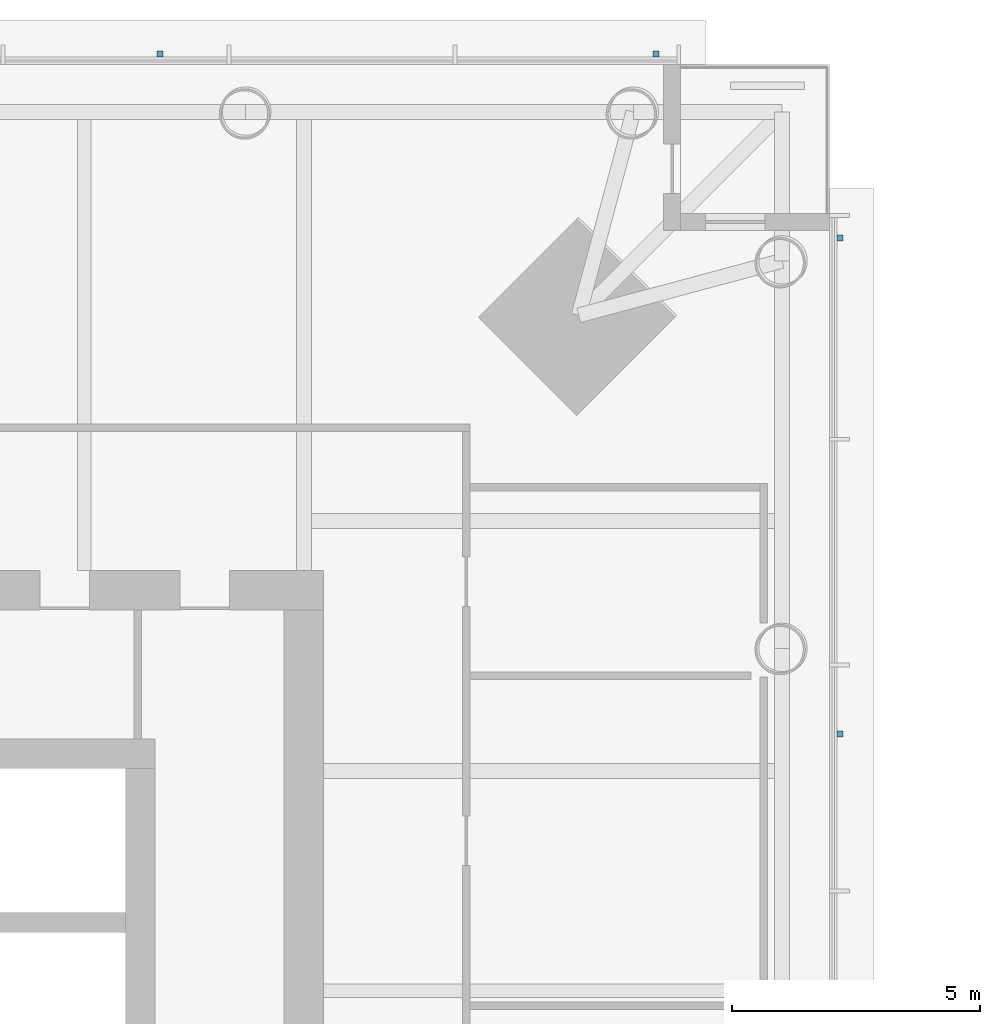
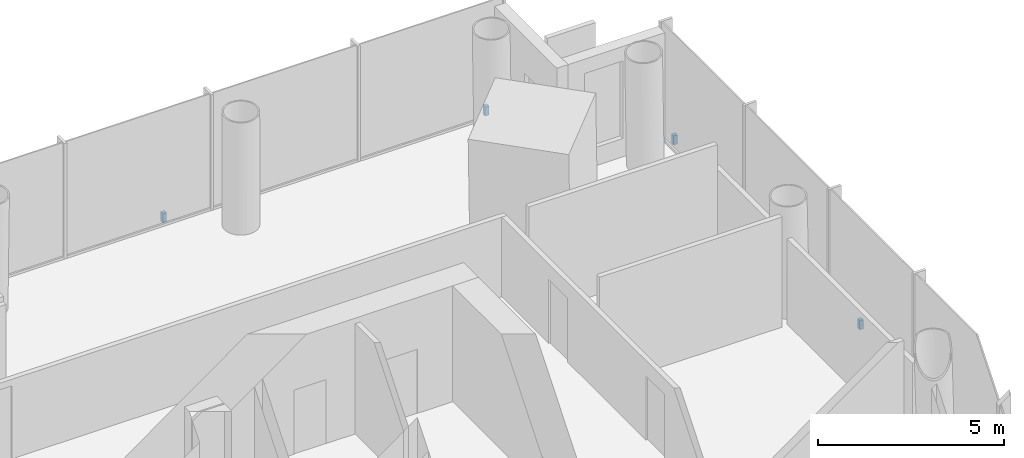
# One storey, part 21 of 26: 4 discrete accessories.
"""IFC4 building model written with IfcOpenShell, lengths in metres."""

import ifcopenshell
import ifcopenshell.guid

model = None  # the IFC model being written
_history = None  # IfcOwnerHistory: only IFC2X3 demands one
_inside = {}  # id of a spatial element -> (the spatial element, [elements in it])
_under = {}  # id of a project, library or spatial element -> (it, [spatial elements below it])
_declared = {}  # id of a project -> (the project, [libraries it declares])
_typed = {}  # id of a type object -> (the type object, [elements of that type])
_made_of = {}  # id of a material, layer set ... -> (it, [elements and type objects made of it])


def new_model(schema):
    """Start an empty IFC model of exactly this schema.

    Asked for "IFC4X3", IfcOpenShell would pick the latest addendum, in which some entities
    have other attributes; the version numbers below select the first issue.
    IFC2X3 requires an IfcOwnerHistory on every rooted entity: one is made here for all.
    """
    global model, _history
    if schema == "IFC4X3":
        model = ifcopenshell.file(schema_version=(4, 3, 0, 0))
    else:
        model = ifcopenshell.file(schema=schema)
    _inside.clear()
    _under.clear()
    _declared.clear()
    _typed.clear()
    _made_of.clear()
    _history = None
    if model.schema == "IFC2X3":
        org = make("IfcOrganization", Name="unknown")
        user = make(
            "IfcPersonAndOrganization",
            ThePerson=make("IfcPerson", FamilyName="unknown"),
            TheOrganization=org,
        )
        app = make(
            "IfcApplication",
            ApplicationDeveloper=org,
            Version="unknown",
            ApplicationFullName="unknown",
            ApplicationIdentifier="unknown",
        )
        _history = make(
            "IfcOwnerHistory",
            OwningUser=user,
            OwningApplication=app,
            ChangeAction="ADDED",
            CreationDate=0,
        )
    return model


def make(cls, **values):
    """One entity of the class cls with the attributes given. An attribute that is None is left unset."""
    return model.create_entity(
        cls, **{name: value for name, value in values.items() if value is not None}
    )


def rooted(cls, **values):
    """An entity with a GlobalId (a new one), such as an element, a storey or a relation."""
    return make(cls, GlobalId=ifcopenshell.guid.new(), OwnerHistory=_history, **values)


def si_unit(unit_type, name, prefix=None):
    """IfcSIUnit, for example si_unit("LENGTHUNIT", "METRE", prefix="MILLI")."""
    return make("IfcSIUnit", UnitType=unit_type, Prefix=prefix, Name=name)


def assignment(units):
    """IfcUnitAssignment: the units of a project."""
    return None if units is None else make("IfcUnitAssignment", Units=units)


def point(xyz):
    """IfcCartesianPoint."""
    return None if xyz is None else make("IfcCartesianPoint", Coordinates=xyz)


def direction(xyz):
    """IfcDirection."""
    return None if xyz is None else make("IfcDirection", DirectionRatios=xyz)


def frame(location, z_axis=None, x_axis=None):
    """IfcAxis2Placement3D, a coordinate frame: its origin and axes. An axis left out is left unset."""
    return make(
        "IfcAxis2Placement3D",
        Location=point(location),
        Axis=direction(z_axis),
        RefDirection=direction(x_axis),
    )


def frame_2d(location, x_axis=None):
    """IfcAxis2Placement2D, a coordinate frame in the plane: its origin and x axis."""
    return make(
        "IfcAxis2Placement2D", Location=point(location), RefDirection=direction(x_axis)
    )


def origin():
    """The frame at (0, 0, 0) with its axes left unset."""
    return frame((0.0, 0.0, 0.0))


def origin_2d():
    """The frame at (0, 0) in the plane with its x axis left unset."""
    return frame_2d((0.0, 0.0))


def place(relative_to, where):
    """IfcLocalPlacement: puts the frame where relative to a parent placement (None: the world)."""
    return make(
        "IfcLocalPlacement", PlacementRelTo=relative_to, RelativePlacement=where
    )


def context(
    kind, dimensions, precision=None, world=None, true_north=None, identifier=None
):
    """IfcGeometricRepresentationContext, for example the 3D "Model" context."""
    return make(
        "IfcGeometricRepresentationContext",
        ContextIdentifier=identifier,
        ContextType=kind,
        CoordinateSpaceDimension=dimensions,
        Precision=precision,
        WorldCoordinateSystem=world,
        TrueNorth=true_north,
    )


def subcontext(parent, identifier, kind, view, scale=None):
    """IfcGeometricRepresentationSubContext, for example "Body" below "Model"."""
    return make(
        "IfcGeometricRepresentationSubContext",
        ContextIdentifier=identifier,
        ContextType=kind,
        ParentContext=parent,
        TargetScale=scale,
        TargetView=view,
    )


def project(units=None, contexts=None):
    """IfcProject with its units and contexts."""
    return rooted(
        "IfcProject",
        Name="project",
        RepresentationContexts=contexts,
        UnitsInContext=assignment(units),
    )


def spatial(cls, under=None, at=None, **own):
    """A site, building, storey or space (cls), placed at a placement, below another one or the project."""
    s = rooted(cls, ObjectPlacement=at, **own)
    if under is not None:
        _under.setdefault(under.id(), (under, []))[1].append(s)
    return s


def profile(cls, at=None, kind="AREA", **sizes):
    """A parametric profile (cls). Its sizes go by their IFC names, for example OverallWidth=200.0."""
    return make(cls, ProfileType=kind, Position=at, **sizes)


def rectangle(**sizes):
    """IfcRectangleProfileDef."""
    return profile("IfcRectangleProfileDef", **sizes)


def extrude(swept, where, along, depth):
    """IfcExtrudedAreaSolid: the profile swept, set in the frame where, extruded along a direction by depth."""
    return make(
        "IfcExtrudedAreaSolid",
        SweptArea=swept,
        Position=where,
        ExtrudedDirection=direction(along),
        Depth=depth,
    )


def shape(context_of_items, identifier, shape_type, items):
    """IfcShapeRepresentation: the items that make up one representation, for example the "Body"."""
    return make(
        "IfcShapeRepresentation",
        ContextOfItems=context_of_items,
        RepresentationIdentifier=identifier,
        RepresentationType=shape_type,
        Items=items,
    )


def material(Name=None, Category=None):
    """IfcMaterial."""
    return make("IfcMaterial", Name=Name, Category=Category)


def made_of(thing, what):
    """Note that an element or type object is made of a material, layer set ...; save() writes the relation."""
    if what is not None:
        _made_of.setdefault(what.id(), (what, []))[1].append(thing)
    return thing


def type_object(cls, material=None, **own):
    """A type object (cls), such as IfcWallType, which elements share."""
    return made_of(rooted(cls, **own), material)


def element(
    cls,
    number,
    at=None,
    inside=None,
    cuts=None,
    type_object=None,
    material=None,
    context=None,
    identifier="Body",
    shape_type=None,
    held_by="IfcProductDefinitionShape",
    body=None,
    shapes=None,
    **own,
):
    """One element of the class cls, such as IfcWall. Its Tag is "e" and its number.

    at: its placement. inside: the storey or other place that contains it. cuts: it is an
    opening in that element (IfcRelVoidsElement). A single representation is given by context,
    identifier, shape_type and body (its items); several are given by shapes. held_by: the class
    of the entity that holds the representations. save() writes the other relations.
    """
    e = rooted(cls, Tag="e%d" % number, ObjectPlacement=at, **own)
    if body is not None:
        shapes = [shape(context, identifier, shape_type, body)]
    if shapes is not None:
        e.Representation = make(held_by, Representations=shapes)
    if inside is not None:
        _inside.setdefault(inside.id(), (inside, []))[1].append(e)
    if cuts is not None:
        rooted(
            "IfcRelVoidsElement", RelatingBuildingElement=cuts, RelatedOpeningElement=e
        )
    if type_object is not None:
        _typed.setdefault(type_object.id(), (type_object, []))[1].append(e)
    return made_of(e, material)


def aggregate(whole, parts):
    """IfcRelAggregates: a whole, such as a stair, and the parts it consists of."""
    return rooted("IfcRelAggregates", RelatingObject=whole, RelatedObjects=parts)


def save(model, path):
    """Write the relations noted so far, then the file.

    IfcRelAggregates (storeys below a building ...), IfcRelContainedInSpatialStructure (elements
    in a storey), IfcRelDefinesByType, IfcRelAssociatesMaterial and IfcRelDeclares: one each for
    every whole, place, type object, material and project.
    """
    for whole, parts in _under.values():
        aggregate(whole, parts)
    for where, things in _inside.values():
        rooted(
            "IfcRelContainedInSpatialStructure",
            RelatedElements=things,
            RelatingStructure=where,
        )
    for kind, things in _typed.values():
        rooted("IfcRelDefinesByType", RelatedObjects=things, RelatingType=kind)
    for what, things in _made_of.values():
        rooted("IfcRelAssociatesMaterial", RelatedObjects=things, RelatingMaterial=what)
    for by, libraries in _declared.values():
        rooted("IfcRelDeclares", RelatingContext=by, RelatedDefinitions=libraries)
    model.write(path)


model = new_model("IFC4")

# Units and contexts
model_context = context("Model", 3, precision=1e-05, world=origin(), true_north=direction((0.0, 1.0)))
body_context = subcontext(model_context, "Body", "Model", "MODEL_VIEW")
ifc_project = project(units=[si_unit("LENGTHUNIT", "METRE"), si_unit("AREAUNIT", "SQUARE_METRE"), si_unit("VOLUMEUNIT", "CUBIC_METRE"), si_unit("PLANEANGLEUNIT", "RADIAN"), si_unit("MASSUNIT", "GRAM", prefix="KILO")], contexts=[model_context])

# Site, building, storey
site_placement = place(None, origin())
site = spatial("IfcSite", under=ifc_project, at=site_placement, CompositionType="ELEMENT")
building_placement = place(site_placement, origin())
building = spatial("IfcBuilding", under=site, at=building_placement, Name="Ostroluk Exchange", CompositionType="ELEMENT")
storey_placement = place(building_placement, frame((0.0, 0.0, 66.60009765625)))
storey = spatial("IfcBuildingStorey", under=building, at=storey_placement, Name="L16", CompositionType="ELEMENT", Elevation=66.60009765625)

# Discrete accessories
ifc_material = material(Name="Stainless steel", Category="steel")
discrete_accessory_type = type_object("IfcDiscreteAccessoryType", Name="Fall-arrest anchor PN-EN 795 type C", PredefinedType="USERDEFINED", material=ifc_material)
for number, where, z_axis, x_axis, name in (
    (1, (68.7099609375, 56.0, 0.0), (0.0, 0.0, 1.0), (1.0, 0.0, 0.0), "Fall-arrest anchor L16 east 4"),
    (2, (68.7099609375, 66.0, 0.0), (0.0, 0.0, 1.0), (1.0, 0.0, 0.0), "Fall-arrest anchor L16 east 5"),
    (3, (55.0, 69.7099609375, 0.0), (0.0, 0.0, 1.0), (1.0, 0.0, 0.0), "Fall-arrest anchor L16 north 4"),
    (4, (65.0, 69.7099609375, 0.0), (0.0, 0.0, 1.0), (1.0, 0.0, 0.0), "Fall-arrest anchor L16 north 5"),
):
    element("IfcDiscreteAccessory", number, at=place(storey_placement, frame(where, z_axis=z_axis, x_axis=x_axis)), inside=storey, type_object=discrete_accessory_type, Name=name, ObjectType="FALL ARREST ANCHOR", PredefinedType="USERDEFINED", context=body_context, shape_type="SweptSolid", body=[
        extrude(rectangle(XDim=0.1201171875, YDim=0.1201171875, at=origin_2d()), origin(), (0.0, 0.0, 1.0), 0.300048828125),
    ])

save(model, "model.ifc")
